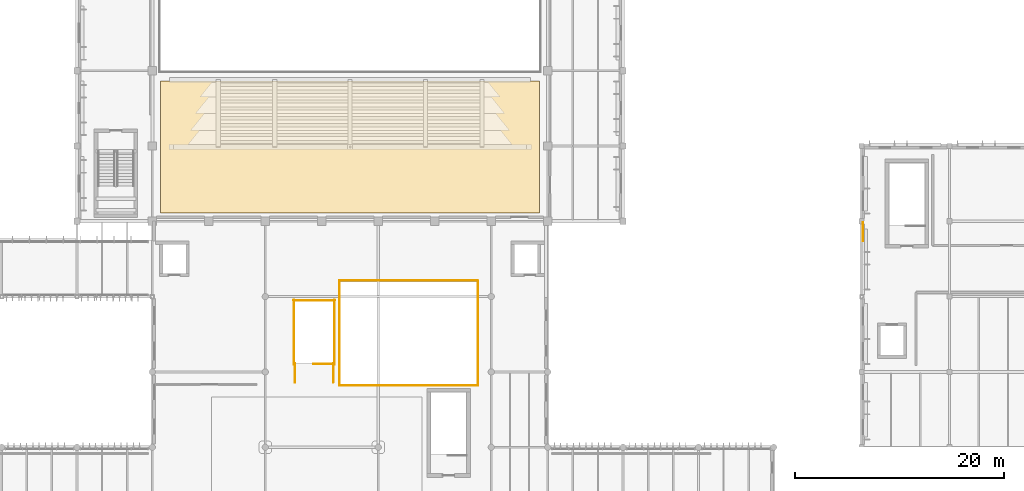
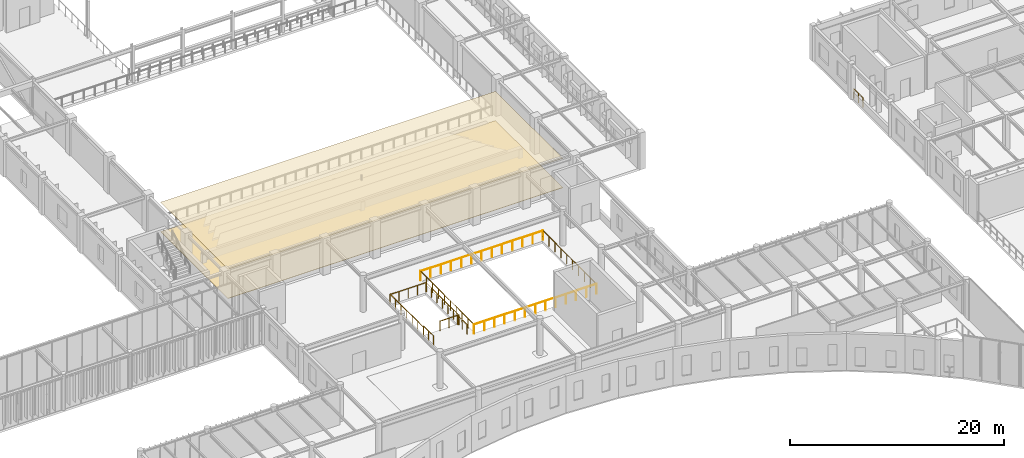
# One storey, part 95 of 104: 11 railings, 2 coverings.
"""IFC4 building model written with IfcOpenShell, lengths in metres."""

from ifc_helpers import new_model, si_unit, direction, frame, origin, origin_2d, place, context, subcontext, project, spatial, polyline, circle, outline, extrude, material, layer, layer_set, material_profile, profile_set, type_object, element, save


model = new_model("IFC4")

# Units and contexts
model_context = context("Model", 3, precision=1e-05, world=origin(), true_north=direction((0.0, 1.0)))
body_context = subcontext(model_context, "Body", "Model", "MODEL_VIEW")
ifc_project = project(units=[si_unit("LENGTHUNIT", "METRE"), si_unit("AREAUNIT", "SQUARE_METRE"), si_unit("VOLUMEUNIT", "CUBIC_METRE"), si_unit("PLANEANGLEUNIT", "RADIAN"), si_unit("MASSUNIT", "GRAM", prefix="KILO")], contexts=[model_context])

# Site, building, storey
site_placement = place(None, origin())
site = spatial("IfcSite", under=ifc_project, at=site_placement, CompositionType="ELEMENT")
building_placement = place(site_placement, origin())
building = spatial("IfcBuilding", under=site, at=building_placement, Name="Tazoul Stagehouse", CompositionType="ELEMENT")
storey_placement = place(building_placement, frame((0.0, 0.0, 9.0)))
storey = spatial("IfcBuildingStorey", under=building, at=storey_placement, Name="L02", CompositionType="ELEMENT", Elevation=9.0)

# Railings
ifc_material_1 = material(Name="Brushed Stainless Steel 316L", Category="steel")
ifc_material_profile = material_profile(ifc_material_1, circle(Radius=0.02392578125, at=origin_2d()), Name="SS RAIL D48")
ifc_profile_set = profile_set([ifc_material_profile], Name="Brushed Stainless Steel 316L")
railing_type = type_object("IfcRailingType", Name="Architectural Guardrail H1120", PredefinedType="GUARDRAIL", material=ifc_profile_set)
railing_1_placement = place(storey_placement, frame((74.949951171875, 38.14990234375, 0.0)))
element("IfcRailing", 1, at=railing_1_placement, inside=storey, type_object=railing_type, Name="L02 ST-ATR-01 top well guard 1", PredefinedType="GUARDRAIL", context=body_context, shape_type="SweptSolid", body=[
    extrude(circle(Radius=0.02392578125, at=origin_2d()), frame((0.0, 0.0, 1.09619140625), z_axis=(-1.0, 0.0, 0.0), x_axis=(0.0, -1.0, 0.0)), (0.0, 0.0, 1.0), 1.949951171875),
    extrude(circle(Radius=0.02099609375, at=origin_2d()), origin(), (0.0, 0.0, 1.0), 1.072021484375),
    extrude(circle(Radius=0.02099609375, at=origin_2d()), frame((-0.97509765625, 0.0, 0.0)), (0.0, 0.0, 1.0), 1.072021484375),
    extrude(circle(Radius=0.02099609375, at=origin_2d()), frame((-1.949951171875, 0.0, 0.0)), (0.0, 0.0, 1.0), 1.072021484375),
])
for number, where, name in (
    (2, (75.0, 38.10009765625, 0.0), "L02 ST-ATR-01 top well guard 2"),
    (3, (71.14990234375, 38.10009765625, 0.0), "L02 ST-ATR-01 top well guard 3"),
):
    element("IfcRailing", number, at=place(storey_placement, frame(where)), inside=storey, type_object=railing_type, Name=name, PredefinedType="GUARDRAIL", context=body_context, shape_type="SweptSolid", body=[
        extrude(circle(Radius=0.02392578125, at=origin_2d()), frame((0.0, 0.0, 1.09619140625), z_axis=(0.0, 1.0, 0.0), x_axis=(-1.0, 0.0, 0.0)), (0.0, 0.0, 1.0), 6.199951171875),
        extrude(circle(Radius=0.02099609375, at=origin_2d()), origin(), (0.0, 0.0, 1.0), 1.072021484375),
        extrude(circle(Radius=0.02099609375, at=origin_2d()), frame((0.0, 1.033203125, 0.0)), (0.0, 0.0, 1.0), 1.072021484375),
        extrude(circle(Radius=0.02099609375, at=origin_2d()), frame((0.0, 2.066650390625, 0.0)), (0.0, 0.0, 1.0), 1.072021484375),
        extrude(circle(Radius=0.02099609375, at=origin_2d()), frame((0.0, 3.10009765625, 0.0)), (0.0, 0.0, 1.0), 1.072021484375),
        extrude(circle(Radius=0.02099609375, at=origin_2d()), frame((0.0, 4.13330078125, 0.0)), (0.0, 0.0, 1.0), 1.072021484375),
        extrude(circle(Radius=0.02099609375, at=origin_2d()), frame((0.0, 5.16650390625, 0.0)), (0.0, 0.0, 1.0), 1.072021484375),
        extrude(circle(Radius=0.02099609375, at=origin_2d()), frame((0.0, 6.199951171875, 0.0)), (0.0, 0.0, 1.0), 1.072021484375),
    ])
railing_2_placement = place(storey_placement, frame((75.050048828125, 44.25, 0.0)))
element("IfcRailing", 4, at=railing_2_placement, inside=storey, type_object=railing_type, Name="L02 ST-ATR-01 top well guard 4", PredefinedType="GUARDRAIL", context=body_context, shape_type="SweptSolid", body=[
    extrude(circle(Radius=0.02392578125, at=origin_2d()), frame((0.0, 0.0, 1.09619140625), z_axis=(-1.0, 0.0, 0.0), x_axis=(0.0, -1.0, 0.0)), (0.0, 0.0, 1.0), 3.949951171875),
    extrude(circle(Radius=0.02099609375, at=origin_2d()), origin(), (0.0, 0.0, 1.0), 1.072021484375),
    extrude(circle(Radius=0.02099609375, at=origin_2d()), frame((-0.987548828125, 0.0, 0.0)), (0.0, 0.0, 1.0), 1.072021484375),
    extrude(circle(Radius=0.02099609375, at=origin_2d()), frame((-1.97509765625, 0.0, 0.0)), (0.0, 0.0, 1.0), 1.072021484375),
    extrude(circle(Radius=0.02099609375, at=origin_2d()), frame((-2.96240234375, 0.0, 0.0)), (0.0, 0.0, 1.0), 1.072021484375),
    extrude(circle(Radius=0.02099609375, at=origin_2d()), frame((-3.949951171875, 0.0, 0.0)), (0.0, 0.0, 1.0), 1.072021484375),
])
for number, where, name in (
    (5, (74.89990234375, 36.39990234375, 0.0), "L02 ST-ATR-01 top well guard 5"),
    (6, (71.25, 36.39990234375, 0.0), "L02 ST-ATR-01 top well guard 6"),
):
    element("IfcRailing", number, at=place(storey_placement, frame(where)), inside=storey, type_object=railing_type, Name=name, PredefinedType="GUARDRAIL", context=body_context, shape_type="SweptSolid", body=[
        extrude(circle(Radius=0.02392578125, at=origin_2d()), frame((0.0, 0.0, 1.09619140625), z_axis=(0.0, 1.0, 0.0), x_axis=(-1.0, 0.0, 0.0)), (0.0, 0.0, 1.0), 1.800048828125),
        extrude(circle(Radius=0.02099609375, at=origin_2d()), origin(), (0.0, 0.0, 1.0), 1.072021484375),
        extrude(circle(Radius=0.02099609375, at=origin_2d()), frame((0.0, 0.89990234375, 0.0)), (0.0, 0.0, 1.0), 1.072021484375),
        extrude(circle(Radius=0.02099609375, at=origin_2d()), frame((0.0, 1.800048828125, 0.0)), (0.0, 0.0, 1.0), 1.072021484375),
    ])
railing_3_placement = place(storey_placement, frame((75.47998046875, 36.080078125, 0.0)))
element("IfcRailing", 7, at=railing_3_placement, inside=storey, type_object=railing_type, Name="L02 Open-Edge Guard GRD-01 (GRD-VOID3-S1)", PredefinedType="GUARDRAIL", context=body_context, shape_type="SweptSolid", body=[
    extrude(circle(Radius=0.02392578125, at=origin_2d()), frame((0.0, 0.0, 1.09619140625), z_axis=(1.0, 0.0, 0.0), x_axis=(0.0, 1.0, 0.0)), (0.0, 0.0, 1.0), 13.239990234375),
    extrude(circle(Radius=0.02099609375, at=origin_2d()), origin(), (0.0, 0.0, 1.0), 1.072021484375),
    extrude(circle(Radius=0.02099609375, at=origin_2d()), frame((1.103271484375, 0.0, 0.0)), (0.0, 0.0, 1.0), 1.072021484375),
    extrude(circle(Radius=0.02099609375, at=origin_2d()), frame((2.20654296875, 0.0, 0.0)), (0.0, 0.0, 1.0), 1.072021484375),
    extrude(circle(Radius=0.02099609375, at=origin_2d()), frame((3.31005859375, 0.0, 0.0)), (0.0, 0.0, 1.0), 1.072021484375),
    extrude(circle(Radius=0.02099609375, at=origin_2d()), frame((4.413330078125, 0.0, 0.0)), (0.0, 0.0, 1.0), 1.072021484375),
    extrude(circle(Radius=0.02099609375, at=origin_2d()), frame((5.5166015625, 0.0, 0.0)), (0.0, 0.0, 1.0), 1.072021484375),
    extrude(circle(Radius=0.02099609375, at=origin_2d()), frame((6.6201171875, 0.0, 0.0)), (0.0, 0.0, 1.0), 1.072021484375),
    extrude(circle(Radius=0.02099609375, at=origin_2d()), frame((7.723388671875, 0.0, 0.0)), (0.0, 0.0, 1.0), 1.072021484375),
    extrude(circle(Radius=0.02099609375, at=origin_2d()), frame((8.82666015625, 0.0, 0.0)), (0.0, 0.0, 1.0), 1.072021484375),
    extrude(circle(Radius=0.02099609375, at=origin_2d()), frame((9.929931640625, 0.0, 0.0)), (0.0, 0.0, 1.0), 1.072021484375),
    extrude(circle(Radius=0.02099609375, at=origin_2d()), frame((11.033203125, 0.0, 0.0)), (0.0, 0.0, 1.0), 1.072021484375),
    extrude(circle(Radius=0.02099609375, at=origin_2d()), frame((12.13671875, 0.0, 0.0)), (0.0, 0.0, 1.0), 1.072021484375),
    extrude(circle(Radius=0.02099609375, at=origin_2d()), frame((13.239990234375, 0.0, 0.0)), (0.0, 0.0, 1.0), 1.072021484375),
])
railing_4_placement = place(storey_placement, frame((88.719970703125, 36.080078125, 0.0)))
element("IfcRailing", 8, at=railing_4_placement, inside=storey, type_object=railing_type, Name="L02 Open-Edge Guard GRD-01 (GRD-VOID3-E1)", PredefinedType="GUARDRAIL", context=body_context, shape_type="SweptSolid", body=[
    extrude(circle(Radius=0.02392578125, at=origin_2d()), frame((0.0, 0.0, 1.09619140625), z_axis=(0.0, 1.0, 0.0), x_axis=(-1.0, 0.0, 0.0)), (0.0, 0.0, 1.0), 10.0400390625),
    extrude(circle(Radius=0.02099609375, at=origin_2d()), origin(), (0.0, 0.0, 1.0), 1.072021484375),
    extrude(circle(Radius=0.02099609375, at=origin_2d()), frame((0.0, 1.115478515625, 0.0)), (0.0, 0.0, 1.0), 1.072021484375),
    extrude(circle(Radius=0.02099609375, at=origin_2d()), frame((0.0, 2.231201171875, 0.0)), (0.0, 0.0, 1.0), 1.072021484375),
    extrude(circle(Radius=0.02099609375, at=origin_2d()), frame((0.0, 3.3466796875, 0.0)), (0.0, 0.0, 1.0), 1.072021484375),
    extrude(circle(Radius=0.02099609375, at=origin_2d()), frame((0.0, 4.462158203125, 0.0)), (0.0, 0.0, 1.0), 1.072021484375),
    extrude(circle(Radius=0.02099609375, at=origin_2d()), frame((0.0, 5.577880859375, 0.0)), (0.0, 0.0, 1.0), 1.072021484375),
    extrude(circle(Radius=0.02099609375, at=origin_2d()), frame((0.0, 6.693359375, 0.0)), (0.0, 0.0, 1.0), 1.072021484375),
    extrude(circle(Radius=0.02099609375, at=origin_2d()), frame((0.0, 7.808837890625, 0.0)), (0.0, 0.0, 1.0), 1.072021484375),
    extrude(circle(Radius=0.02099609375, at=origin_2d()), frame((0.0, 8.924560546875, 0.0)), (0.0, 0.0, 1.0), 1.072021484375),
    extrude(circle(Radius=0.02099609375, at=origin_2d()), frame((0.0, 10.0400390625, 0.0)), (0.0, 0.0, 1.0), 1.072021484375),
])
railing_5_placement = place(storey_placement, frame((88.719970703125, 46.1201171875, 0.0)))
element("IfcRailing", 9, at=railing_5_placement, inside=storey, type_object=railing_type, Name="L02 Open-Edge Guard GRD-01 (GRD-VOID3-N1)", PredefinedType="GUARDRAIL", context=body_context, shape_type="SweptSolid", body=[
    extrude(circle(Radius=0.02392578125, at=origin_2d()), frame((0.0, 0.0, 1.09619140625), z_axis=(-1.0, 0.0, 0.0), x_axis=(0.0, -1.0, 0.0)), (0.0, 0.0, 1.0), 13.239990234375),
    extrude(circle(Radius=0.02099609375, at=origin_2d()), origin(), (0.0, 0.0, 1.0), 1.072021484375),
    extrude(circle(Radius=0.02099609375, at=origin_2d()), frame((-1.103271484375, 0.0, 0.0)), (0.0, 0.0, 1.0), 1.072021484375),
    extrude(circle(Radius=0.02099609375, at=origin_2d()), frame((-2.20654296875, 0.0, 0.0)), (0.0, 0.0, 1.0), 1.072021484375),
    extrude(circle(Radius=0.02099609375, at=origin_2d()), frame((-3.31005859375, 0.0, 0.0)), (0.0, 0.0, 1.0), 1.072021484375),
    extrude(circle(Radius=0.02099609375, at=origin_2d()), frame((-4.413330078125, 0.0, 0.0)), (0.0, 0.0, 1.0), 1.072021484375),
    extrude(circle(Radius=0.02099609375, at=origin_2d()), frame((-5.5166015625, 0.0, 0.0)), (0.0, 0.0, 1.0), 1.072021484375),
    extrude(circle(Radius=0.02099609375, at=origin_2d()), frame((-6.6201171875, 0.0, 0.0)), (0.0, 0.0, 1.0), 1.072021484375),
    extrude(circle(Radius=0.02099609375, at=origin_2d()), frame((-7.723388671875, 0.0, 0.0)), (0.0, 0.0, 1.0), 1.072021484375),
    extrude(circle(Radius=0.02099609375, at=origin_2d()), frame((-8.82666015625, 0.0, 0.0)), (0.0, 0.0, 1.0), 1.072021484375),
    extrude(circle(Radius=0.02099609375, at=origin_2d()), frame((-9.929931640625, 0.0, 0.0)), (0.0, 0.0, 1.0), 1.072021484375),
    extrude(circle(Radius=0.02099609375, at=origin_2d()), frame((-11.033203125, 0.0, 0.0)), (0.0, 0.0, 1.0), 1.072021484375),
    extrude(circle(Radius=0.02099609375, at=origin_2d()), frame((-12.13671875, 0.0, 0.0)), (0.0, 0.0, 1.0), 1.072021484375),
    extrude(circle(Radius=0.02099609375, at=origin_2d()), frame((-13.239990234375, 0.0, 0.0)), (0.0, 0.0, 1.0), 1.072021484375),
])
railing_6_placement = place(storey_placement, frame((75.47998046875, 46.1201171875, 0.0)))
element("IfcRailing", 10, at=railing_6_placement, inside=storey, type_object=railing_type, Name="L02 Open-Edge Guard GRD-01 (GRD-VOID3-W1)", PredefinedType="GUARDRAIL", context=body_context, shape_type="SweptSolid", body=[
    extrude(circle(Radius=0.02392578125, at=origin_2d()), frame((0.0, 0.0, 1.09619140625), z_axis=(0.0, -1.0, 0.0), x_axis=(1.0, 0.0, 0.0)), (0.0, 0.0, 1.0), 10.0400390625),
    extrude(circle(Radius=0.02099609375, at=origin_2d()), origin(), (0.0, 0.0, 1.0), 1.072021484375),
    extrude(circle(Radius=0.02099609375, at=origin_2d()), frame((0.0, -1.115478515625, 0.0)), (0.0, 0.0, 1.0), 1.072021484375),
    extrude(circle(Radius=0.02099609375, at=origin_2d()), frame((0.0, -2.231201171875, 0.0)), (0.0, 0.0, 1.0), 1.072021484375),
    extrude(circle(Radius=0.02099609375, at=origin_2d()), frame((0.0, -3.3466796875, 0.0)), (0.0, 0.0, 1.0), 1.072021484375),
    extrude(circle(Radius=0.02099609375, at=origin_2d()), frame((0.0, -4.462158203125, 0.0)), (0.0, 0.0, 1.0), 1.072021484375),
    extrude(circle(Radius=0.02099609375, at=origin_2d()), frame((0.0, -5.577880859375, 0.0)), (0.0, 0.0, 1.0), 1.072021484375),
    extrude(circle(Radius=0.02099609375, at=origin_2d()), frame((0.0, -6.693359375, 0.0)), (0.0, 0.0, 1.0), 1.072021484375),
    extrude(circle(Radius=0.02099609375, at=origin_2d()), frame((0.0, -7.808837890625, 0.0)), (0.0, 0.0, 1.0), 1.072021484375),
    extrude(circle(Radius=0.02099609375, at=origin_2d()), frame((0.0, -8.924560546875, 0.0)), (0.0, 0.0, 1.0), 1.072021484375),
    extrude(circle(Radius=0.02099609375, at=origin_2d()), frame((0.0, -10.0400390625, 0.0)), (0.0, 0.0, 1.0), 1.072021484375),
])
railing_7_placement = place(storey_placement, frame((125.550048828125, 49.919921875, 0.0)))
element("IfcRailing", 11, at=railing_7_placement, inside=storey, type_object=railing_type, Name="L02 Studio Drum West Edge Guard GRD-01", PredefinedType="GUARDRAIL", context=body_context, shape_type="SweptSolid", body=[
    extrude(circle(Radius=0.02392578125, at=origin_2d()), frame((0.0, 0.0, 1.09619140625), z_axis=(0.0, 1.0, 0.0), x_axis=(-1.0, 0.0, 0.0)), (0.0, 0.0, 1.0), 1.760009765625),
    extrude(circle(Radius=0.02099609375, at=origin_2d()), origin(), (0.0, 0.0, 1.0), 1.072021484375),
    extrude(circle(Radius=0.02099609375, at=origin_2d()), frame((0.0, 0.8798828125, 0.0)), (0.0, 0.0, 1.0), 1.072021484375),
    extrude(circle(Radius=0.02099609375, at=origin_2d()), frame((0.0, 1.760009765625, 0.0)), (0.0, 0.0, 1.0), 1.072021484375),
])

# Coverings
ifc_material_2 = material(Name="Acoustic Cedar Timber", Category="wood")
ifc_layer_1 = layer(ifc_material_2, 0.0400390625, Name="Acoustic Cedar Timber")
ifc_layer_set_1 = layer_set([ifc_layer_1], Name="Acoustic Cedar Timber")
covering_type_1 = type_object("IfcCoveringType", Name="Atlas Cedar Sprung Stage & Hall Flooring 40", PredefinedType="FLOORING", material=ifc_layer_set_1)
covering_1_placement = place(storey_placement, origin())
element("IfcCovering", 12, at=covering_1_placement, inside=storey, type_object=covering_type_1, Name="L02 Upper Circle Seating Gallery Flooring", PredefinedType="FLOORING", context=body_context, shape_type="SweptSolid", body=[
    extrude(outline(polyline([(94.610107421875, 65.2099609375), (94.610107421875, 52.590087890625), (58.389892578125, 52.590087890625), (58.389892578125, 65.2099609375), (94.610107421875, 65.2099609375)])), origin(), (0.0, 0.0, 1.0), 0.0400390625),
])
ifc_layer_2 = layer(ifc_material_2, 0.044921875, Name="Acoustic Cedar Timber")
ifc_layer_set_2 = layer_set([ifc_layer_2], Name="Acoustic Cedar Timber")
covering_type_2 = type_object("IfcCoveringType", Name="Perforated Cedar Acoustic Baffle Ceiling 45", PredefinedType="CEILING", material=ifc_layer_set_2)
covering_2_placement = place(storey_placement, frame((0.0, 0.0, 3.35498046875)))
element("IfcCovering", 13, at=covering_2_placement, inside=storey, type_object=covering_type_2, Name="L02 Upper Circle Seating Gallery Suspended Ceiling", PredefinedType="CEILING", context=body_context, shape_type="SweptSolid", body=[
    extrude(outline(polyline([(94.610107421875, 65.2099609375), (94.610107421875, 52.590087890625), (58.389892578125, 52.590087890625), (58.389892578125, 65.2099609375), (94.610107421875, 65.2099609375)])), origin(), (0.0, 0.0, 1.0), 0.044921875),
])

save(model, "model.ifc")
